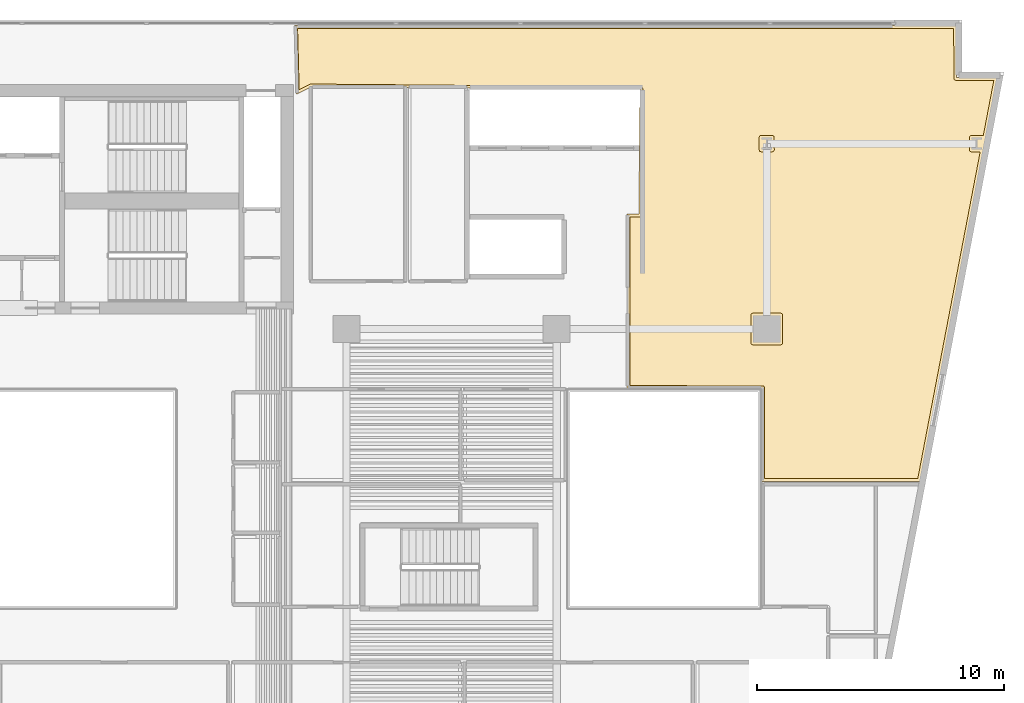
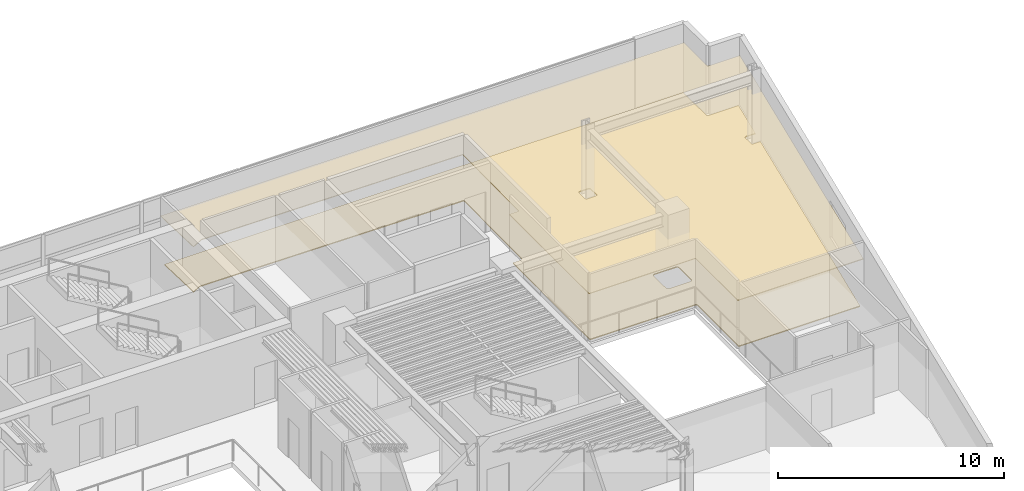
# One storey, part 13 of 13: 2 coverings.
"""IFC4 building model written with IfcOpenShell, lengths in metres."""

from ifc_helpers import new_model, si_unit, direction, frame, origin, place, context, subcontext, project, spatial, polyline, outline, extrude, material, layer, layer_set, type_object, element, save


model = new_model("IFC4")

# Units and contexts
model_context = context("Model", 3, precision=1e-05, world=origin(), true_north=direction((0.0, 1.0)))
body_context = subcontext(model_context, "Body", "Model", "MODEL_VIEW")
ifc_project = project(units=[si_unit("LENGTHUNIT", "METRE"), si_unit("AREAUNIT", "SQUARE_METRE"), si_unit("VOLUMEUNIT", "CUBIC_METRE"), si_unit("PLANEANGLEUNIT", "RADIAN"), si_unit("MASSUNIT", "GRAM", prefix="KILO")], contexts=[model_context])

# Site, building, storey
site_placement = place(None, origin())
site = spatial("IfcSite", under=ifc_project, at=site_placement, CompositionType="ELEMENT")
building_placement = place(site_placement, origin())
building = spatial("IfcBuilding", under=site, at=building_placement, Name="Caeloran Harvest Quay", CompositionType="ELEMENT")
storey_placement = place(building_placement, frame((0.0, 0.0, 158.800048828125)))
storey = spatial("IfcBuildingStorey", under=building, at=storey_placement, Name="L37", CompositionType="ELEMENT", Elevation=158.800048828125)

# Coverings
ifc_material_1 = material(Name="Perforated Mineral-Fibre Acoustic Ceiling Tile", Category="ceiling")
ifc_layer_1 = layer(ifc_material_1, 0.0400390625, Name="Perforated Mineral-Fibre Acoustic Ceiling Tile")
ifc_layer_set_1 = layer_set([ifc_layer_1], Name="Perforated Mineral-Fibre Acoustic Ceiling Tile")
covering_type_1 = type_object("IfcCoveringType", Name="COV-CEILING-ACOUSTIC", PredefinedType="CEILING", material=ifc_layer_set_1)
covering_1_placement = place(storey_placement, frame((0.0, 0.0, 2.599853515625)))
element("IfcCovering", 1, at=covering_1_placement, inside=storey, type_object=covering_type_1, Name="Hospitality Catering Kitchen 12 Acoustic Ceiling", PredefinedType="CEILING", context=body_context, shape_type="SweptSolid", body=[
    extrude(outline(polyline([(23.39990234375, 43.280029296875), (50.179931640625, 43.280029296875), (50.179931640625, 41.179931640625), (51.8330078125, 41.179931640625), (48.71240234375, 24.840087890625), (42.2900390625, 24.840087890625), (42.2900390625, 28.590087890625), (36.840087890625, 28.590087890625), (36.840087890625, 35.659912109375), (37.330322265625, 35.659912109375), (37.36962890625, 40.690185546875), (24.059326171875, 40.789794921875), (23.4716796875, 40.4912109375), (23.39990234375, 43.280029296875)])), origin(), (0.0, 0.0, 1.0), 0.0400390625),
])
ifc_material_2 = material(Name="Calcium-Sulphate Raised Access Floor and Terrazzo Finish", Category="flooring")
ifc_layer_2 = layer(ifc_material_2, 0.050048828125, Name="Calcium-Sulphate Raised Access Floor and Terrazzo Finish")
ifc_layer_set_2 = layer_set([ifc_layer_2], Name="Calcium-Sulphate Raised Access Floor and Terrazzo Finish")
covering_type_2 = type_object("IfcCoveringType", Name="COV-FLOOR-RAISED", PredefinedType="FLOORING", material=ifc_layer_set_2)
covering_2_placement = place(storey_placement, origin())
element("IfcCovering", 2, at=covering_2_placement, inside=storey, type_object=covering_type_2, Name="Hospitality Catering Kitchen 12 Raised Finish Flooring", PredefinedType="FLOORING", context=body_context, shape_type="SweptSolid", body=[
    extrude(outline(polyline([(24.050537109375, 40.909912109375), (23.586669921875, 40.684326171875), (23.52294921875, 43.159912109375), (50.06005859375, 43.159912109375), (50.078125, 41.089111328125), (50.139892578125, 41.06005859375), (51.68798828125, 41.06005859375), (51.260986328125, 38.82421875), (50.76513671875, 38.83154296875), (50.694580078125, 38.767578125), (50.70654296875, 38.20361328125), (50.76513671875, 38.16845703125), (51.135498046875, 38.16796875), (48.61328125, 24.9599609375), (42.409912109375, 24.9599609375), (42.409912109375, 28.6298828125), (42.37451171875, 28.696533203125), (36.9599609375, 28.7099609375), (36.9599609375, 35.5400390625), (37.377685546875, 35.540283203125), (37.44970703125, 35.611572265625), (37.489990234375, 40.7294921875), (37.455078125, 40.796142578125), (24.050537109375, 40.909912109375)]), holes=[polyline([(41.93505859375, 31.64501953125), (41.87841796875, 31.62158203125), (41.85498046875, 31.56494140625), (41.85498046875, 30.43505859375), (41.87841796875, 30.37841796875), (41.93505859375, 30.35498046875), (43.06494140625, 30.35498046875), (43.12158203125, 30.37841796875), (43.14501953125, 30.43505859375), (43.14501953125, 31.56494140625), (43.12158203125, 31.62158203125), (43.06494140625, 31.64501953125), (41.93505859375, 31.64501953125)]), polyline([(42.806884765625, 38.248046875), (42.788818359375, 38.802734375), (42.73486328125, 38.83154296875), (42.27294921875, 38.83203125), (42.21630859375, 38.80859375), (42.193115234375, 38.751953125), (42.193115234375, 38.248046875), (42.21630859375, 38.19140625), (42.27294921875, 38.16796875), (42.72705078125, 38.16796875), (42.78369140625, 38.19140625), (42.806884765625, 38.248046875)])]), origin(), (0.0, 0.0, 1.0), 0.050048828125),
])

save(model, "model.ifc")
